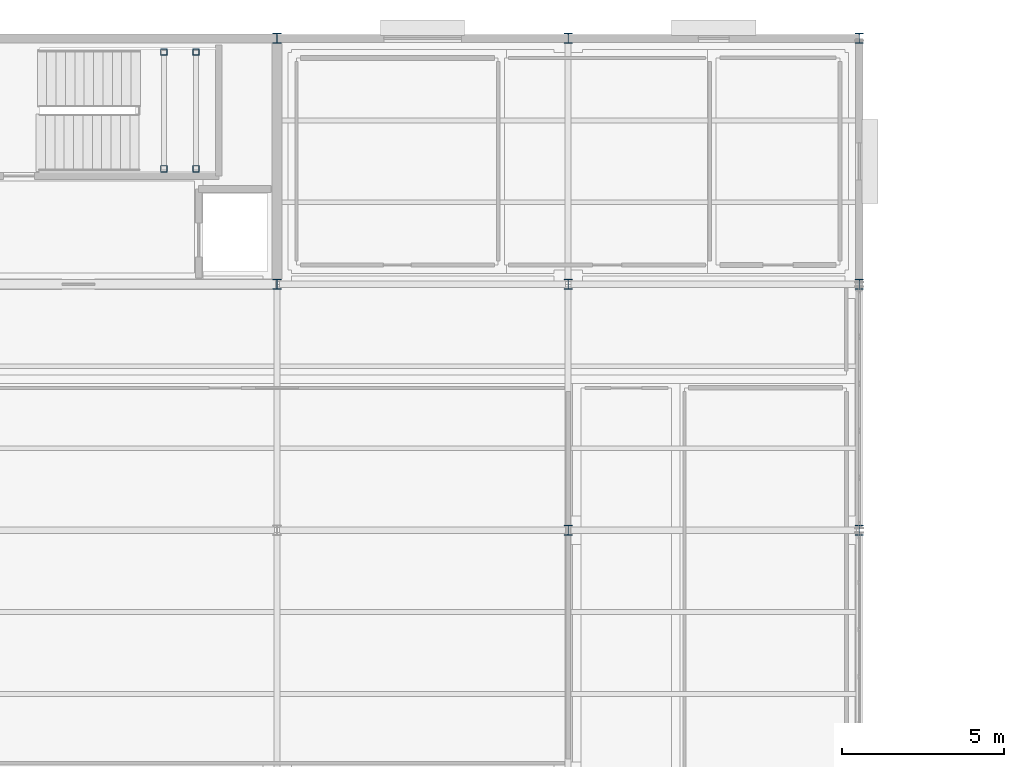
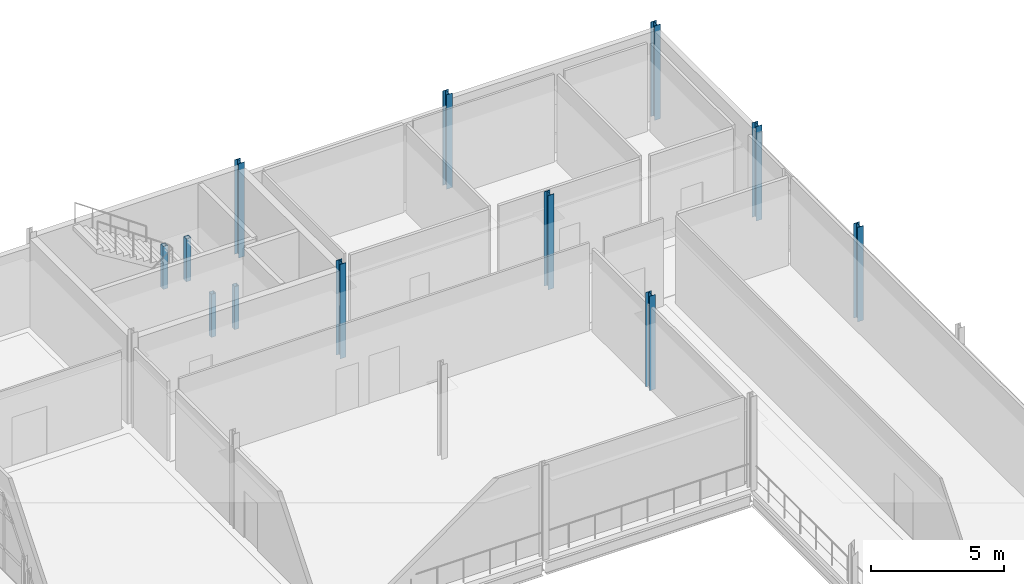
# One storey, part 14 of 96: 12 columns.
"""IFC4 building model written with IfcOpenShell, lengths in metres."""

from ifc_helpers import new_model, si_unit, direction, frame, origin, origin_2d, place, context, subcontext, project, spatial, hollow_rectangle, i_section, extrude, material, material_profile, profile_set, type_object, element, save


model = new_model("IFC4")

# Units and contexts
model_context = context("Model", 3, precision=1e-05, world=origin(), true_north=direction((0.0, 1.0)))
body_context = subcontext(model_context, "Body", "Model", "MODEL_VIEW")
ifc_project = project(units=[si_unit("LENGTHUNIT", "METRE"), si_unit("AREAUNIT", "SQUARE_METRE"), si_unit("VOLUMEUNIT", "CUBIC_METRE"), si_unit("PLANEANGLEUNIT", "RADIAN"), si_unit("MASSUNIT", "GRAM", prefix="KILO")], contexts=[model_context])

# Site, building, storey
site_placement = place(None, origin())
site = spatial("IfcSite", under=ifc_project, at=site_placement, CompositionType="ELEMENT")
building_placement = place(site_placement, origin())
building = spatial("IfcBuilding", under=site, at=building_placement, Name="Caisbarro Railhouse Central Library", CompositionType="ELEMENT")
storey_placement = place(building_placement, frame((0.0, 0.0, 13.679931640625)))
storey = spatial("IfcBuildingStorey", under=building, at=storey_placement, Name="L03", CompositionType="ELEMENT", Elevation=13.679931640625)

# Columns
ifc_material = material(Name="Steel ASTM A572 Grade 50", Category="steel")
ifc_material_profile_1 = material_profile(ifc_material, i_section(OverallWidth=0.25390625, OverallDepth=0.305908203125, WebThickness=0.0087890625, FlangeThickness=0.0146484375, FilletRadius=0.014892578125, at=origin_2d()), Name="W310X79.0")
ifc_profile_set_1 = profile_set([ifc_material_profile_1], Name="Steel ASTM A572 Grade 50")
column_type_1 = type_object("IfcColumnType", Name="COL-C07", PredefinedType="COLUMN", material=ifc_profile_set_1)
for number, where, z_axis, x_axis, name in (
    (1, (135.0, 106.39990234375, 0.0), (0.0, 0.0, 1.0), (1.0, 0.0, 0.0), "C07 column L03 (135.0,106.4)"),
    (2, (135.0, 114.0, 0.0), (0.0, 0.0, 1.0), (1.0, 0.0, 0.0), "C07 column L03 (135.0,114.0)"),
    (3, (144.0, 98.800048828125, 0.0), (0.0, 0.0, 1.0), (1.0, 0.0, 0.0), "C07 column L03 (144.0,98.8)"),
    (4, (144.0, 106.39990234375, 0.0), (0.0, 0.0, 1.0), (1.0, 0.0, 0.0), "C07 column L03 (144.0,106.4)"),
    (5, (144.0, 114.0, 0.0), (0.0, 0.0, 1.0), (1.0, 0.0, 0.0), "C07 column L03 (144.0,114.0)"),
    (6, (153.0, 98.800048828125, 0.0), (0.0, 0.0, 1.0), (1.0, 0.0, 0.0), "C07 column L03 (153.0,98.8)"),
    (7, (153.0, 106.39990234375, 0.0), (0.0, 0.0, 1.0), (1.0, 0.0, 0.0), "C07 column L03 (153.0,106.4)"),
    (8, (153.0, 114.0, 0.0), (0.0, 0.0, 1.0), (1.0, 0.0, 0.0), "C07 column L03 (153.0,114.0)"),
):
    element("IfcColumn", number, at=place(storey_placement, frame(where, z_axis=z_axis, x_axis=x_axis)), inside=storey, type_object=column_type_1, Name=name, PredefinedType="COLUMN", context=body_context, shape_type="SweptSolid", body=[
        extrude(i_section(OverallWidth=0.25390625, OverallDepth=0.305908203125, WebThickness=0.0087890625, FlangeThickness=0.0146484375, FilletRadius=0.014892578125, at=origin_2d()), origin(), (0.0, 0.0, 1.0), 4.320068359375),
    ])
ifc_material_profile_2 = material_profile(ifc_material, hollow_rectangle(XDim=0.199951171875, YDim=0.199951171875, WallThickness=0.012451171875, at=origin_2d()), Name="HSS200X200X12.5")
ifc_profile_set_2 = profile_set([ifc_material_profile_2], Name="Steel ASTM A572 Grade 50")
column_type_2 = type_object("IfcColumnType", Name="COL-C10", PredefinedType="COLUMN", material=ifc_profile_set_2)
for number, where, z_axis, x_axis, name in (
    (9, (131.5, 109.969970703125, 0.0), (0.0, 0.0, 1.0), (1.0, 0.0, 0.0), "C10 Stair Landing Post K3 L03.1"),
    (10, (131.5, 113.580078125, 0.0), (0.0, 0.0, 1.0), (1.0, 0.0, 0.0), "C10 Stair Landing Post K3 L03.2"),
    (11, (132.5, 109.969970703125, 0.0), (0.0, 0.0, 1.0), (1.0, 0.0, 0.0), "C10 Stair Landing Post K3 L03.3"),
    (12, (132.5, 113.580078125, 0.0), (0.0, 0.0, 1.0), (1.0, 0.0, 0.0), "C10 Stair Landing Post K3 L03.4"),
):
    element("IfcColumn", number, at=place(storey_placement, frame(where, z_axis=z_axis, x_axis=x_axis)), inside=storey, type_object=column_type_2, Name=name, PredefinedType="COLUMN", context=body_context, shape_type="SweptSolid", body=[
        extrude(hollow_rectangle(XDim=0.199951171875, YDim=0.199951171875, WallThickness=0.012451171875, at=origin_2d()), origin(), (0.0, 0.0, 1.0), 1.969970703125),
    ])

save(model, "model.ifc")
